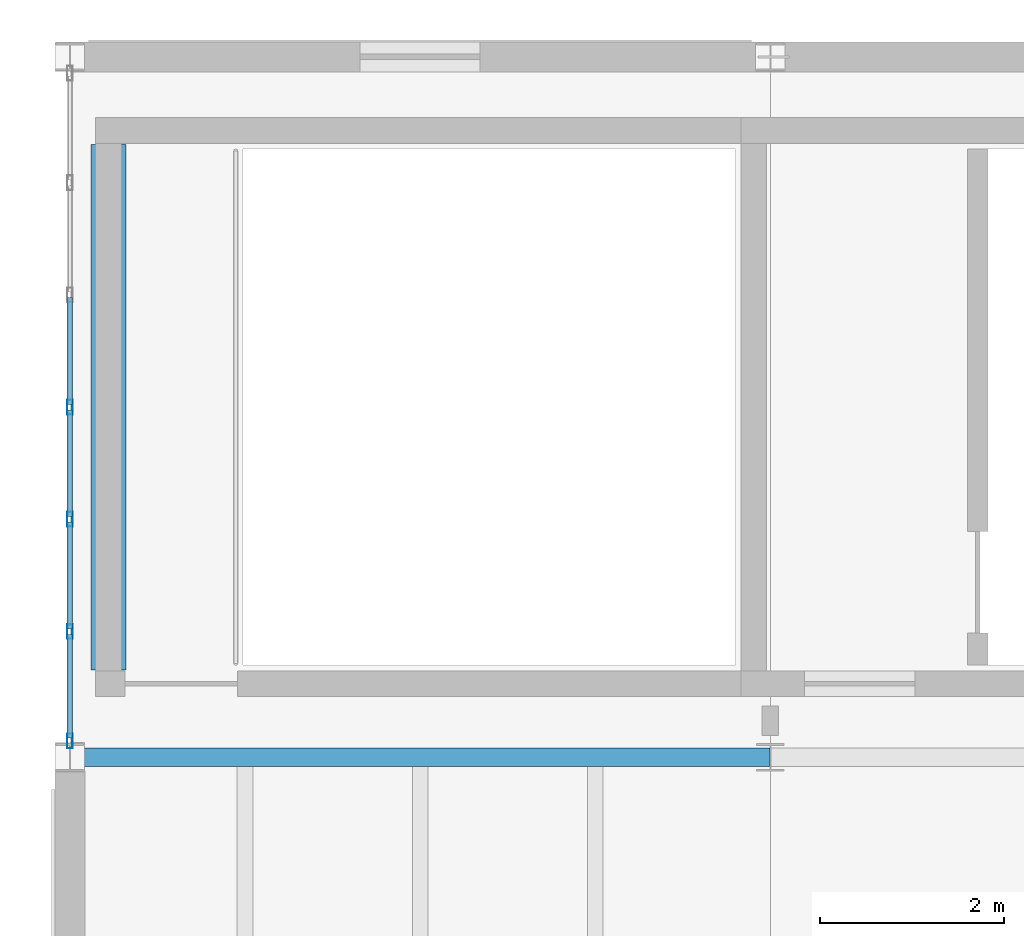
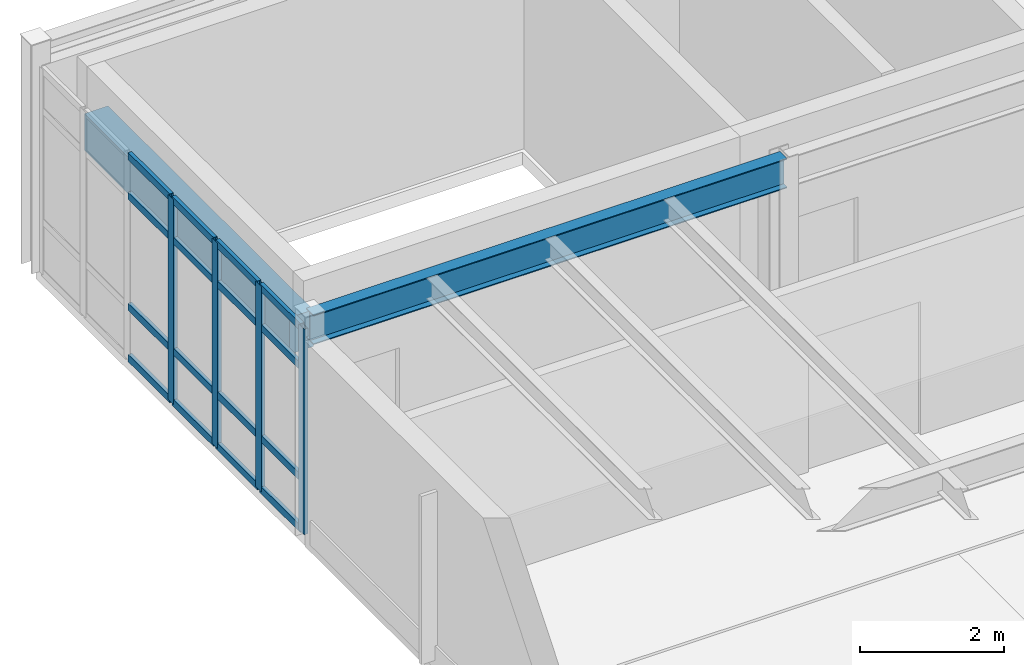
# One storey, part 37 of 114: 20 members, 2 beams, 1 element without a shape of its own.
"""IFC4 building model written with IfcOpenShell, lengths in metres."""

from ifc_helpers import new_model, si_unit, direction, frame, origin, origin_2d, place, context, subcontext, project, spatial, rectangle, hollow_rectangle, i_section, extrude, material, layer, layer_set, material_profile, profile_set, type_object, element, aggregate, save


model = new_model("IFC4")

# Units and contexts
model_context = context("Model", 3, precision=1e-05, world=origin(), true_north=direction((0.0, 1.0)))
body_context = subcontext(model_context, "Body", "Model", "MODEL_VIEW")
ifc_project = project(units=[si_unit("LENGTHUNIT", "METRE"), si_unit("AREAUNIT", "SQUARE_METRE"), si_unit("VOLUMEUNIT", "CUBIC_METRE"), si_unit("PLANEANGLEUNIT", "RADIAN"), si_unit("MASSUNIT", "GRAM", prefix="KILO")], contexts=[model_context])

# Site, building, storey
site_placement = place(None, origin())
site = spatial("IfcSite", under=ifc_project, at=site_placement, CompositionType="ELEMENT")
building_placement = place(site_placement, origin())
building = spatial("IfcBuilding", under=site, at=building_placement, Name="Montecoro Central Library", CompositionType="ELEMENT")
storey_placement = place(building_placement, frame((0.0, 0.0, 13.260009765625)))
storey = spatial("IfcBuildingStorey", under=building, at=storey_placement, Name="L03", CompositionType="ELEMENT", Elevation=13.260009765625)

# Beams
ifc_material_1 = material(Name="Steel S355", Category="steel")
ifc_material_profile_1 = material_profile(ifc_material_1, i_section(OverallWidth=0.199951171875, OverallDepth=0.5, WebThickness=0.01025390625, FlangeThickness=0.01611328125, at=origin_2d()), Name="IPE 500")
ifc_profile_set_1 = profile_set([ifc_material_profile_1], Name="Steel S355")
beam_type_1 = type_object("IfcBeamType", Name="BM-G-IPE500", PredefinedType="USERDEFINED", material=ifc_profile_set_1)
beam_1_placement = place(storey_placement, frame((5.0048828125, 103.800048828125, 3.574951171875), z_axis=(1.0, 0.0, 0.0), x_axis=(0.0, 1.0, 0.0)))
element("IfcBeam", 1, at=beam_1_placement, inside=storey, type_object=beam_type_1, Name="V4-L03-BX-12-P", ObjectType="GIRDER", PredefinedType="USERDEFINED", context=body_context, shape_type="SweptSolid", body=[
    extrude(i_section(OverallWidth=0.199951171875, OverallDepth=0.5, WebThickness=0.01025390625, FlangeThickness=0.01611328125, at=origin_2d()), origin(), (0.0, 0.0, 1.0), 7.590087890625),
])
ifc_material_2 = material(Name="Concrete C35/45", Category="concrete")
ifc_material_profile_2 = material_profile(ifc_material_2, rectangle(XDim=0.3798828125, YDim=0.6201171875, at=origin_2d()), Name="RC LNT 620x380")
ifc_profile_set_2 = profile_set([ifc_material_profile_2], Name="Concrete C35/45")
beam_type_2 = type_object("IfcBeamType", Name="BM-LN-RC05", PredefinedType="LINTEL", material=ifc_profile_set_2)
beam_2_placement = place(storey_placement, frame((5.419921875, 104.75, 2.760009765625), z_axis=(0.0, 1.0, 0.0), x_axis=(-1.0, 0.0, 0.0)))
element("IfcBeam", 2, at=beam_2_placement, inside=storey, type_object=beam_type_2, Name="C5-L03-LNT", PredefinedType="LINTEL", context=body_context, shape_type="SweptSolid", body=[
    extrude(rectangle(XDim=0.3798828125, YDim=0.6201171875, at=origin_2d()), origin(), (0.0, 0.0, 1.0), 5.699951171875),
])

# Curtain wall, members
ifc_material_3 = material(Name="Bronze-anodised aluminium and low-E glazing", Category="aluminium")
ifc_layer = layer(ifc_material_3, 0.159912109375)
ifc_layer_set = layer_set([ifc_layer], Name="Bronze-anodised aluminium and low-E glazing")
curtain_wall_type = type_object("IfcCurtainWallType", Name="CWT-052", PredefinedType="NOTDEFINED", material=ifc_layer_set)
curtain_wall_placement = place(storey_placement, origin())
curtain_wall = element("IfcCurtainWall", 3, at=curtain_wall_placement, inside=storey, type_object=curtain_wall_type, Name="V4-L03-CW-W3", PredefinedType="NOTDEFINED")
ifc_material_4 = material(Name="Bronze-anodised aluminium", Category="aluminium")
ifc_material_profile_3 = material_profile(ifc_material_4, hollow_rectangle(XDim=0.06005859375, YDim=0.159912109375, WallThickness=0.00390625, at=origin_2d()), Name="CWM 160x60x4.0")
ifc_profile_set_3 = profile_set([ifc_material_profile_3], Name="Bronze-anodised aluminium")
member_type_1 = type_object("IfcMemberType", Name="CWM-BRZ-60", PredefinedType="MULLION", material=ifc_profile_set_3)
member_1_placement = place(storey_placement, frame((5.0, 107.60009765625, 0.0), z_axis=(0.0, 0.0, 1.0), x_axis=(1.0, 0.0, 0.0)))
member_1 = element("IfcMember", 4, at=member_1_placement, type_object=member_type_1, Name="CW-052 mullion 4", PredefinedType="MULLION", context=body_context, shape_type="SweptSolid", body=[
    extrude(hollow_rectangle(XDim=0.06005859375, YDim=0.159912109375, WallThickness=0.00390625, at=origin_2d()), origin(), (0.0, 0.0, 1.0), 3.47998046875),
])
member_2_placement = place(storey_placement, frame((5.0, 106.382568359375, 0.0), z_axis=(0.0, 0.0, 1.0), x_axis=(1.0, 0.0, 0.0)))
member_2 = element("IfcMember", 5, at=member_2_placement, type_object=member_type_1, Name="CW-052 mullion 5", PredefinedType="MULLION", context=body_context, shape_type="SweptSolid", body=[
    extrude(hollow_rectangle(XDim=0.06005859375, YDim=0.159912109375, WallThickness=0.00390625, at=origin_2d()), origin(), (0.0, 0.0, 1.0), 3.47998046875),
])
member_3_placement = place(storey_placement, frame((5.0, 105.165283203125, 0.0), z_axis=(0.0, 0.0, 1.0), x_axis=(1.0, 0.0, 0.0)))
member_3 = element("IfcMember", 6, at=member_3_placement, type_object=member_type_1, Name="CW-052 mullion 6", PredefinedType="MULLION", context=body_context, shape_type="SweptSolid", body=[
    extrude(hollow_rectangle(XDim=0.06005859375, YDim=0.159912109375, WallThickness=0.00390625, at=origin_2d()), origin(), (0.0, 0.0, 1.0), 3.47998046875),
])
member_4_placement = place(storey_placement, frame((5.0, 103.97802734375, 0.0), z_axis=(0.0, 0.0, 1.0), x_axis=(1.0, 0.0, 0.0)))
member_4 = element("IfcMember", 7, at=member_4_placement, type_object=member_type_1, Name="CW-052 mullion 7", PredefinedType="MULLION", context=body_context, shape_type="SweptSolid", body=[
    extrude(hollow_rectangle(XDim=0.06005859375, YDim=0.159912109375, WallThickness=0.00390625, at=origin_2d()), origin(), (0.0, 0.0, 1.0), 3.47998046875),
])
ifc_material_profile_4 = material_profile(ifc_material_4, hollow_rectangle(XDim=0.06005859375, YDim=0.1201171875, WallThickness=0.00390625, at=origin_2d()), Name="CWT 120x60x4.0")
ifc_profile_set_4 = profile_set([ifc_material_profile_4], Name="Bronze-anodised aluminium")
member_type_2 = type_object("IfcMemberType", Name="CWT-BRZ-60", PredefinedType="USERDEFINED", material=ifc_profile_set_4)
member_5_placement = place(storey_placement, frame((5.0, 108.787353515625, 0.030029296875), z_axis=(0.0, -1.0, 0.0), x_axis=(1.0, 0.0, 0.0)))
member_5 = element("IfcMember", 8, at=member_5_placement, type_object=member_type_2, Name="CW-052 transom 3.1", ObjectType="TRANSOM", PredefinedType="USERDEFINED", context=body_context, shape_type="SweptSolid", body=[
    extrude(hollow_rectangle(XDim=0.06005859375, YDim=0.1201171875, WallThickness=0.00390625, at=origin_2d()), origin(), (0.0, 0.0, 1.0), 1.157470703125),
])
member_6_placement = place(storey_placement, frame((5.0, 108.787353515625, 0.89990234375), z_axis=(0.0, -1.0, 0.0), x_axis=(1.0, 0.0, 0.0)))
member_6 = element("IfcMember", 9, at=member_6_placement, type_object=member_type_2, Name="CW-052 transom 3.2", ObjectType="TRANSOM", PredefinedType="USERDEFINED", context=body_context, shape_type="SweptSolid", body=[
    extrude(hollow_rectangle(XDim=0.06005859375, YDim=0.1201171875, WallThickness=0.00390625, at=origin_2d()), origin(), (0.0, 0.0, 1.0), 1.157470703125),
])
member_7_placement = place(storey_placement, frame((5.0, 108.787353515625, 2.780029296875), z_axis=(0.0, -1.0, 0.0), x_axis=(1.0, 0.0, 0.0)))
member_7 = element("IfcMember", 10, at=member_7_placement, type_object=member_type_2, Name="CW-052 transom 3.3", ObjectType="TRANSOM", PredefinedType="USERDEFINED", context=body_context, shape_type="SweptSolid", body=[
    extrude(hollow_rectangle(XDim=0.06005859375, YDim=0.1201171875, WallThickness=0.00390625, at=origin_2d()), origin(), (0.0, 0.0, 1.0), 1.157470703125),
])
member_8_placement = place(storey_placement, frame((5.0, 108.787353515625, 3.449951171875), z_axis=(0.0, -1.0, 0.0), x_axis=(1.0, 0.0, 0.0)))
member_8 = element("IfcMember", 11, at=member_8_placement, type_object=member_type_2, Name="CW-052 transom 3.4", ObjectType="TRANSOM", PredefinedType="USERDEFINED", context=body_context, shape_type="SweptSolid", body=[
    extrude(hollow_rectangle(XDim=0.06005859375, YDim=0.1201171875, WallThickness=0.00390625, at=origin_2d()), origin(), (0.0, 0.0, 1.0), 1.157470703125),
])
member_9_placement = place(storey_placement, frame((5.0, 107.570068359375, 0.030029296875), z_axis=(0.0, -1.0, 0.0), x_axis=(1.0, 0.0, 0.0)))
member_9 = element("IfcMember", 12, at=member_9_placement, type_object=member_type_2, Name="CW-052 transom 4.1", ObjectType="TRANSOM", PredefinedType="USERDEFINED", context=body_context, shape_type="SweptSolid", body=[
    extrude(hollow_rectangle(XDim=0.06005859375, YDim=0.1201171875, WallThickness=0.00390625, at=origin_2d()), origin(), (0.0, 0.0, 1.0), 1.157470703125),
])
member_10_placement = place(storey_placement, frame((5.0, 107.570068359375, 0.89990234375), z_axis=(0.0, -1.0, 0.0), x_axis=(1.0, 0.0, 0.0)))
member_10 = element("IfcMember", 13, at=member_10_placement, type_object=member_type_2, Name="CW-052 transom 4.2", ObjectType="TRANSOM", PredefinedType="USERDEFINED", context=body_context, shape_type="SweptSolid", body=[
    extrude(hollow_rectangle(XDim=0.06005859375, YDim=0.1201171875, WallThickness=0.00390625, at=origin_2d()), origin(), (0.0, 0.0, 1.0), 1.157470703125),
])
member_11_placement = place(storey_placement, frame((5.0, 107.570068359375, 2.780029296875), z_axis=(0.0, -1.0, 0.0), x_axis=(1.0, 0.0, 0.0)))
member_11 = element("IfcMember", 14, at=member_11_placement, type_object=member_type_2, Name="CW-052 transom 4.3", ObjectType="TRANSOM", PredefinedType="USERDEFINED", context=body_context, shape_type="SweptSolid", body=[
    extrude(hollow_rectangle(XDim=0.06005859375, YDim=0.1201171875, WallThickness=0.00390625, at=origin_2d()), origin(), (0.0, 0.0, 1.0), 1.157470703125),
])
member_12_placement = place(storey_placement, frame((5.0, 107.570068359375, 3.449951171875), z_axis=(0.0, -1.0, 0.0), x_axis=(1.0, 0.0, 0.0)))
member_12 = element("IfcMember", 15, at=member_12_placement, type_object=member_type_2, Name="CW-052 transom 4.4", ObjectType="TRANSOM", PredefinedType="USERDEFINED", context=body_context, shape_type="SweptSolid", body=[
    extrude(hollow_rectangle(XDim=0.06005859375, YDim=0.1201171875, WallThickness=0.00390625, at=origin_2d()), origin(), (0.0, 0.0, 1.0), 1.157470703125),
])
member_13_placement = place(storey_placement, frame((5.0, 106.352783203125, 0.030029296875), z_axis=(0.0, -1.0, 0.0), x_axis=(1.0, 0.0, 0.0)))
member_13 = element("IfcMember", 16, at=member_13_placement, type_object=member_type_2, Name="CW-052 transom 5.1", ObjectType="TRANSOM", PredefinedType="USERDEFINED", context=body_context, shape_type="SweptSolid", body=[
    extrude(hollow_rectangle(XDim=0.06005859375, YDim=0.1201171875, WallThickness=0.00390625, at=origin_2d()), origin(), (0.0, 0.0, 1.0), 1.157470703125),
])
member_14_placement = place(storey_placement, frame((5.0, 106.352783203125, 0.89990234375), z_axis=(0.0, -1.0, 0.0), x_axis=(1.0, 0.0, 0.0)))
member_14 = element("IfcMember", 17, at=member_14_placement, type_object=member_type_2, Name="CW-052 transom 5.2", ObjectType="TRANSOM", PredefinedType="USERDEFINED", context=body_context, shape_type="SweptSolid", body=[
    extrude(hollow_rectangle(XDim=0.06005859375, YDim=0.1201171875, WallThickness=0.00390625, at=origin_2d()), origin(), (0.0, 0.0, 1.0), 1.157470703125),
])
member_15_placement = place(storey_placement, frame((5.0, 106.352783203125, 2.780029296875), z_axis=(0.0, -1.0, 0.0), x_axis=(1.0, 0.0, 0.0)))
member_15 = element("IfcMember", 18, at=member_15_placement, type_object=member_type_2, Name="CW-052 transom 5.3", ObjectType="TRANSOM", PredefinedType="USERDEFINED", context=body_context, shape_type="SweptSolid", body=[
    extrude(hollow_rectangle(XDim=0.06005859375, YDim=0.1201171875, WallThickness=0.00390625, at=origin_2d()), origin(), (0.0, 0.0, 1.0), 1.157470703125),
])
member_16_placement = place(storey_placement, frame((5.0, 106.352783203125, 3.449951171875), z_axis=(0.0, -1.0, 0.0), x_axis=(1.0, 0.0, 0.0)))
member_16 = element("IfcMember", 19, at=member_16_placement, type_object=member_type_2, Name="CW-052 transom 5.4", ObjectType="TRANSOM", PredefinedType="USERDEFINED", context=body_context, shape_type="SweptSolid", body=[
    extrude(hollow_rectangle(XDim=0.06005859375, YDim=0.1201171875, WallThickness=0.00390625, at=origin_2d()), origin(), (0.0, 0.0, 1.0), 1.157470703125),
])
member_17_placement = place(storey_placement, frame((5.0, 105.13525390625, 0.030029296875), z_axis=(0.0, -1.0, 0.0), x_axis=(1.0, 0.0, 0.0)))
member_17 = element("IfcMember", 20, at=member_17_placement, type_object=member_type_2, Name="CW-052 transom 6.1", ObjectType="TRANSOM", PredefinedType="USERDEFINED", context=body_context, shape_type="SweptSolid", body=[
    extrude(hollow_rectangle(XDim=0.06005859375, YDim=0.1201171875, WallThickness=0.00390625, at=origin_2d()), origin(), (0.0, 0.0, 1.0), 1.127197265625),
])
member_18_placement = place(storey_placement, frame((5.0, 105.13525390625, 0.89990234375), z_axis=(0.0, -1.0, 0.0), x_axis=(1.0, 0.0, 0.0)))
member_18 = element("IfcMember", 21, at=member_18_placement, type_object=member_type_2, Name="CW-052 transom 6.2", ObjectType="TRANSOM", PredefinedType="USERDEFINED", context=body_context, shape_type="SweptSolid", body=[
    extrude(hollow_rectangle(XDim=0.06005859375, YDim=0.1201171875, WallThickness=0.00390625, at=origin_2d()), origin(), (0.0, 0.0, 1.0), 1.127197265625),
])
member_19_placement = place(storey_placement, frame((5.0, 105.13525390625, 2.780029296875), z_axis=(0.0, -1.0, 0.0), x_axis=(1.0, 0.0, 0.0)))
member_19 = element("IfcMember", 22, at=member_19_placement, type_object=member_type_2, Name="CW-052 transom 6.3", ObjectType="TRANSOM", PredefinedType="USERDEFINED", context=body_context, shape_type="SweptSolid", body=[
    extrude(hollow_rectangle(XDim=0.06005859375, YDim=0.1201171875, WallThickness=0.00390625, at=origin_2d()), origin(), (0.0, 0.0, 1.0), 1.127197265625),
])
member_20_placement = place(storey_placement, frame((5.0, 105.13525390625, 3.449951171875), z_axis=(0.0, -1.0, 0.0), x_axis=(1.0, 0.0, 0.0)))
member_20 = element("IfcMember", 23, at=member_20_placement, type_object=member_type_2, Name="CW-052 transom 6.4", ObjectType="TRANSOM", PredefinedType="USERDEFINED", context=body_context, shape_type="SweptSolid", body=[
    extrude(hollow_rectangle(XDim=0.06005859375, YDim=0.1201171875, WallThickness=0.00390625, at=origin_2d()), origin(), (0.0, 0.0, 1.0), 1.127197265625),
])
aggregate(curtain_wall, [member_1, member_2, member_3, member_4, member_5, member_6, member_7, member_8, member_9, member_10, member_11, member_12, member_13, member_14, member_15, member_16, member_17, member_18, member_19, member_20])

save(model, "model.ifc")
